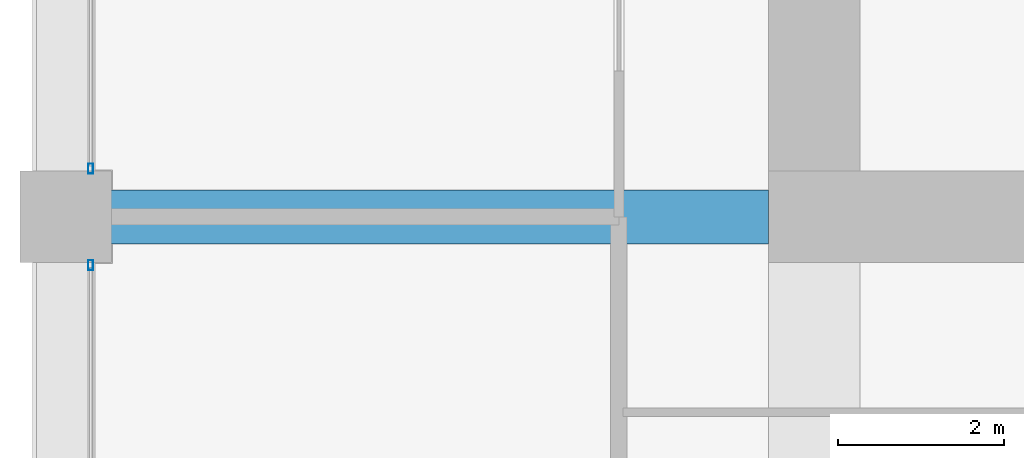
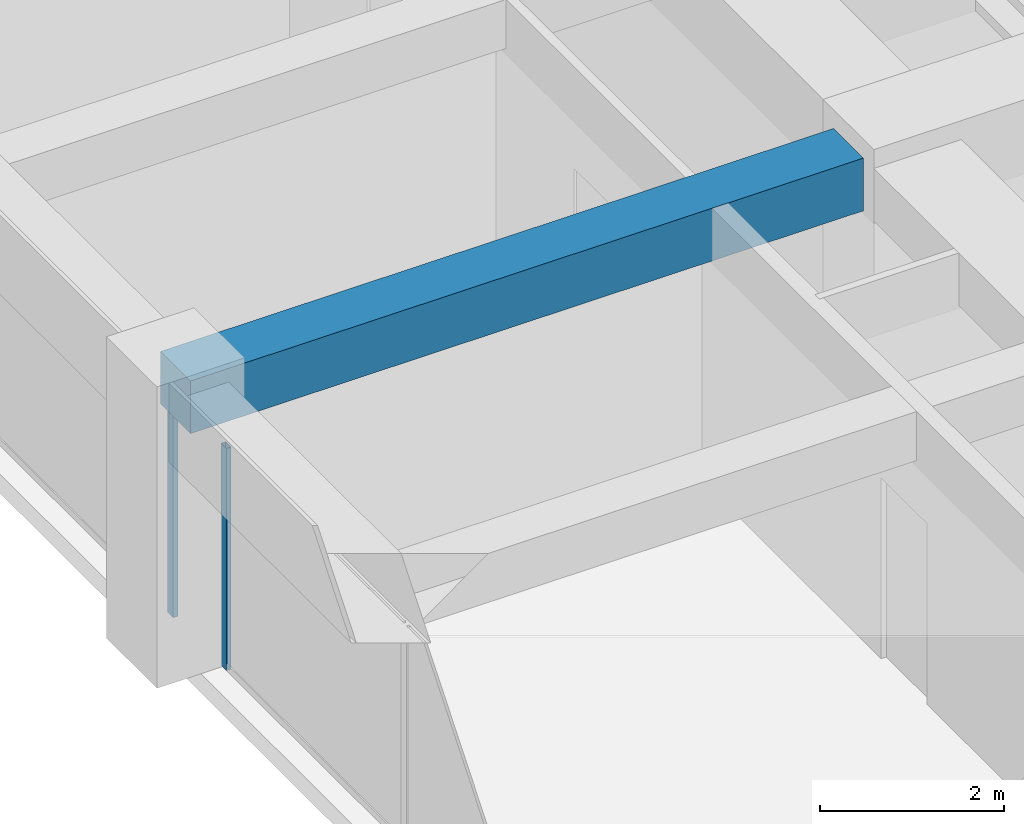
# One storey, part 13 of 44: 2 members, 1 beam, 2 elements without a shape of their own.
"""IFC4 building model written with IfcOpenShell, lengths in metres."""

from ifc_helpers import new_model, si_unit, direction, frame, origin, origin_2d, place, context, subcontext, project, spatial, rectangle, hollow_rectangle, extrude, material, material_profile, profile_set, type_object, element, aggregate, save


model = new_model("IFC4")

# Units and contexts
model_context = context("Model", 3, precision=1e-05, world=origin(), true_north=direction((0.0, 1.0)))
body_context = subcontext(model_context, "Body", "Model", "MODEL_VIEW")
ifc_project = project(units=[si_unit("LENGTHUNIT", "METRE"), si_unit("AREAUNIT", "SQUARE_METRE"), si_unit("VOLUMEUNIT", "CUBIC_METRE"), si_unit("PLANEANGLEUNIT", "RADIAN"), si_unit("MASSUNIT", "GRAM", prefix="KILO")], contexts=[model_context])

# Site, building, storey
site_placement = place(None, origin())
site = spatial("IfcSite", under=ifc_project, at=site_placement, CompositionType="ELEMENT")
building_placement = place(site_placement, origin())
building = spatial("IfcBuilding", under=site, at=building_placement, Name="Zorevar Civic Tower", CompositionType="ELEMENT")
storey_placement = place(building_placement, frame((0.0, 0.0, 263.39990234375)))
storey = spatial("IfcBuildingStorey", under=building, at=storey_placement, Name="L64", CompositionType="ELEMENT", Elevation=263.39990234375)

# Beam
ifc_material_1 = material(Name="Concrete C50/60", Category="concrete")
ifc_material_profile_1 = material_profile(ifc_material_1, rectangle(XDim=0.64990234375, YDim=0.699951171875, at=origin_2d()), Name="RC 650x700")
ifc_profile_set_1 = profile_set([ifc_material_profile_1], Name="Concrete C50/60")
beam_type = type_object("IfcBeamType", Name="Beam RC 650x700", PredefinedType="BEAM", material=ifc_profile_set_1)
beam_placement = place(storey_placement, frame((9.0, 18.0, 3.400146484375), z_axis=(1.0, 0.0, 0.0), x_axis=(0.0, 1.0, 0.0)))
element("IfcBeam", 1, at=beam_placement, inside=storey, type_object=beam_type, Name="Girder L65", PredefinedType="BEAM", context=body_context, shape_type="SweptSolid", body=[
    extrude(rectangle(XDim=0.64990234375, YDim=0.699951171875, at=origin_2d()), origin(), (0.0, 0.0, 1.0), 8.449951171875),
])

# Curtain wall, member
ifc_material_2 = material(Name="Dark grey solar-control glass in black aluminium frame", Category="aluminium")
curtain_wall_type = type_object("IfcCurtainWallType", Name="Curtain wall CW5 top zone", PredefinedType="NOTDEFINED", material=ifc_material_2)
curtain_wall_1_placement = place(storey_placement, origin())
curtain_wall_1 = element("IfcCurtainWall", 2, at=curtain_wall_1_placement, inside=storey, type_object=curtain_wall_type, Name="CW5 L64", PredefinedType="NOTDEFINED")
ifc_material_3 = material(Name="Aluminium, black anodised", Category="aluminium")
ifc_material_profile_2 = material_profile(ifc_material_3, hollow_rectangle(XDim=0.06005859375, YDim=0.1201171875, WallThickness=0.0029296875, at=origin_2d()), Name="AL 120x60x3")
ifc_profile_set_2 = profile_set([ifc_material_profile_2], Name="Aluminium, black anodised")
member_type = type_object("IfcMemberType", Name="CW5 mullion AL 120x60x3", PredefinedType="MULLION", material=ifc_profile_set_2)
member_1_placement = place(storey_placement, frame((9.300048828125, 17.419921875, 0.0), z_axis=(0.0, 0.0, 1.0), x_axis=(-1.0, 0.0, 0.0)))
member_1 = element("IfcMember", 3, at=member_1_placement, type_object=member_type, Name="CW5 mullion 3", PredefinedType="MULLION", context=body_context, shape_type="SweptSolid", body=[
    extrude(hollow_rectangle(XDim=0.06005859375, YDim=0.1201171875, WallThickness=0.0029296875, at=origin_2d()), origin(), (0.0, 0.0, 1.0), 2.9501953125),
])
aggregate(curtain_wall_1, [member_1])

curtain_wall_2_placement = place(storey_placement, origin())
curtain_wall_2 = element("IfcCurtainWall", 4, at=curtain_wall_2_placement, inside=storey, type_object=curtain_wall_type, Name="CW5 L64", PredefinedType="NOTDEFINED")
member_2_placement = place(storey_placement, frame((9.300048828125, 18.580078125, 0.0), z_axis=(0.0, 0.0, 1.0), x_axis=(-1.0, 0.0, 0.0)))
member_2 = element("IfcMember", 5, at=member_2_placement, type_object=member_type, Name="CW5 mullion 1", PredefinedType="MULLION", context=body_context, shape_type="SweptSolid", body=[
    extrude(hollow_rectangle(XDim=0.06005859375, YDim=0.1201171875, WallThickness=0.0029296875, at=origin_2d()), origin(), (0.0, 0.0, 1.0), 2.9501953125),
])
aggregate(curtain_wall_2, [member_2])

save(model, "model.ifc")
